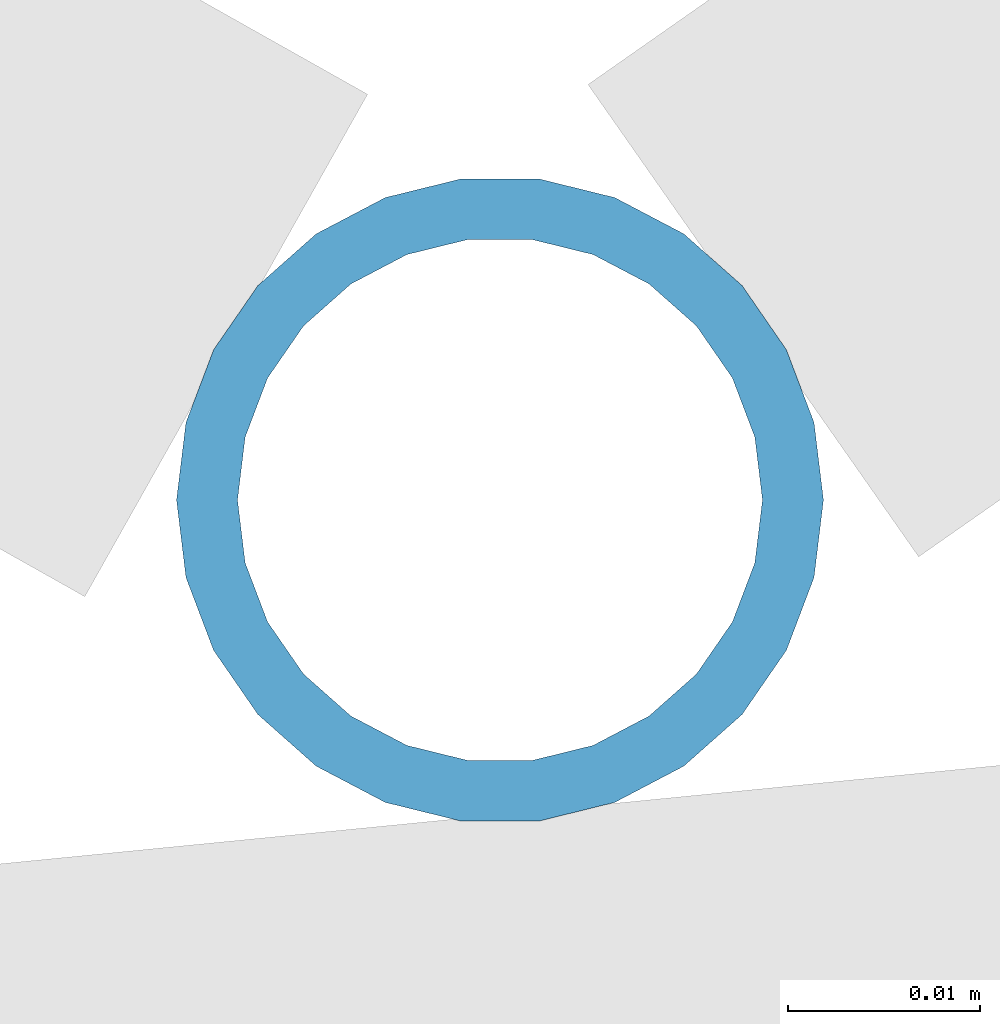
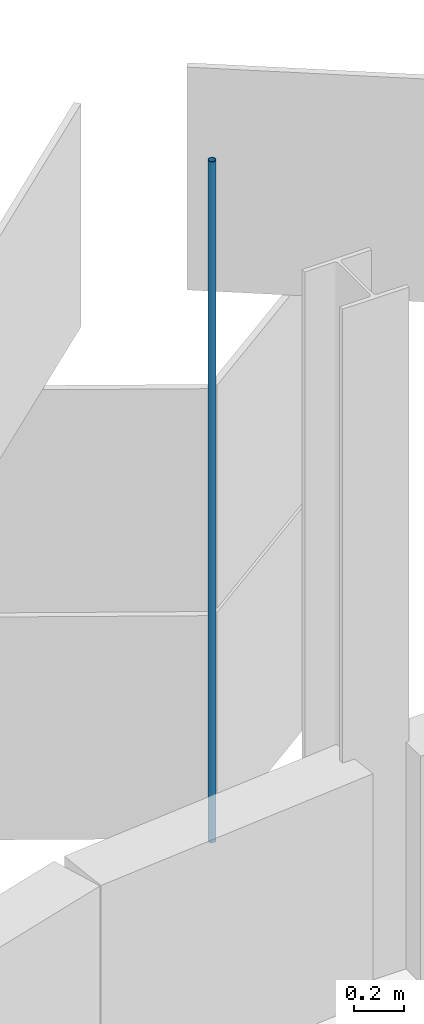
# One storey, part 135 of 198: 1 discrete accessory.
"""IFC4 building model written with IfcOpenShell, lengths in metres."""

from ifc_helpers import new_model, si_unit, direction, frame, origin, origin_2d, place, context, subcontext, project, spatial, hollow_circle, extrude, material, material_profile, profile_set, type_object, element, save


model = new_model("IFC4")

# Units and contexts
model_context = context("Model", 3, precision=1e-05, world=origin(), true_north=direction((0.0, 1.0)))
body_context = subcontext(model_context, "Body", "Model", "MODEL_VIEW")
ifc_project = project(units=[si_unit("LENGTHUNIT", "METRE"), si_unit("AREAUNIT", "SQUARE_METRE"), si_unit("VOLUMEUNIT", "CUBIC_METRE"), si_unit("PLANEANGLEUNIT", "RADIAN"), si_unit("MASSUNIT", "GRAM", prefix="KILO")], contexts=[model_context])

# Site, building, storey
site_placement = place(None, origin())
site = spatial("IfcSite", under=ifc_project, at=site_placement, CompositionType="ELEMENT")
building_placement = place(site_placement, origin())
building = spatial("IfcBuilding", under=site, at=building_placement, Name="Parallax Yard Mobility Hub", CompositionType="ELEMENT")
storey_placement = place(building_placement, frame((0.0, 0.0, 6.60009765625)))
storey = spatial("IfcBuildingStorey", under=building, at=storey_placement, Name="L02", CompositionType="ELEMENT", Elevation=6.60009765625)

# Discrete accessory
ifc_material = material(Name="Steel ASTM A500 Gr C, hot-dip galvanised", Category="steel")
ifc_material_profile = material_profile(ifc_material, hollow_circle(Radius=0.016845703125, WallThickness=0.003173828125, at=origin_2d()), Name="CHS 33.7x3.2")
ifc_profile_set = profile_set([ifc_material_profile], Name="Steel ASTM A500 Gr C, hot-dip galvanised")
discrete_accessory_type = type_object("IfcDiscreteAccessoryType", Name="Hinge post CHS 33.7x3.2", PredefinedType="BRACKET", material=ifc_profile_set)
discrete_accessory_placement = place(storey_placement, frame((29.91650390625, 143.49658203125, 0.0), z_axis=(0.0, 0.0, 1.0), x_axis=(1.0, 0.0, 0.0)))
element("IfcDiscreteAccessory", 1, at=discrete_accessory_placement, inside=storey, type_object=discrete_accessory_type, Name="Hinge post bay 70.1 level L02", PredefinedType="BRACKET", context=body_context, shape_type="SweptSolid", body=[
    extrude(hollow_circle(Radius=0.016845703125, WallThickness=0.003173828125, at=origin_2d()), origin(), (0.0, 0.0, 1.0), 3.2998046875),
])

save(model, "model.ifc")
